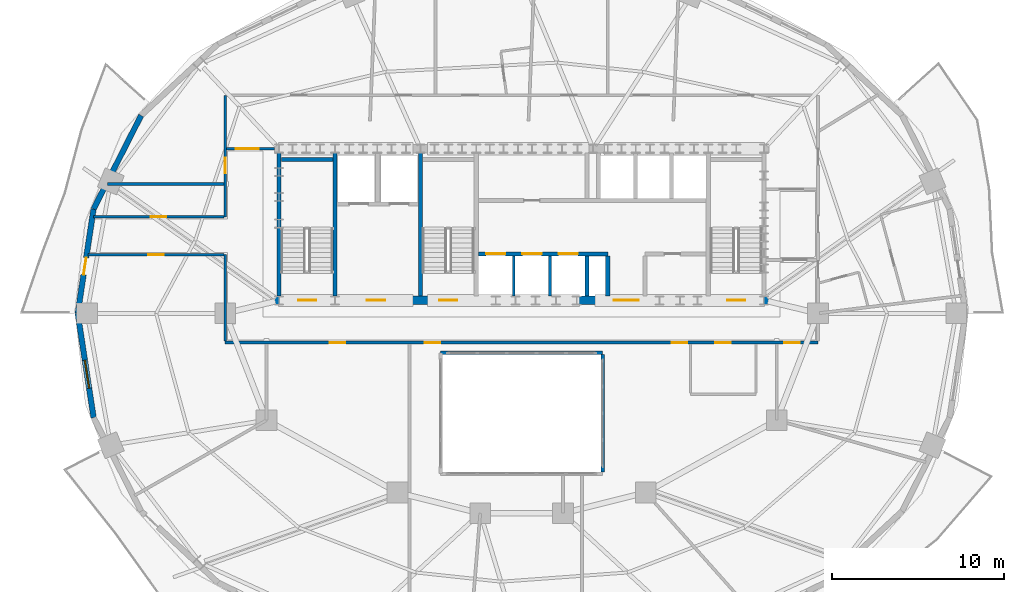
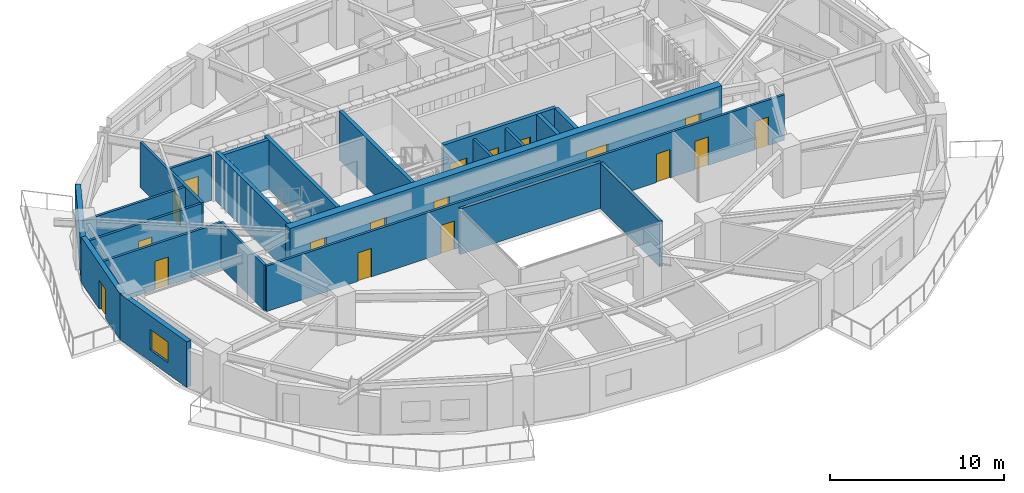
# One storey, part 6 of 13: 22 walls, 18 doors, 1 window, 19 openings.
"""IFC4 building model written with IfcOpenShell, lengths in metres."""

from ifc_helpers import new_model, si_unit, direction, frame, frame_2d, origin, place, context, subcontext, project, spatial, rectangle, extrude, material, layer, layer_set, type_object, element, fill, save


model = new_model("IFC4")

# Units and contexts
model_context = context("Model", 3, precision=1e-05, world=origin(), true_north=direction((0.0, 1.0)))
body_context = subcontext(model_context, "Body", "Model", "MODEL_VIEW")
ifc_project = project(units=[si_unit("LENGTHUNIT", "METRE"), si_unit("AREAUNIT", "SQUARE_METRE"), si_unit("VOLUMEUNIT", "CUBIC_METRE"), si_unit("PLANEANGLEUNIT", "RADIAN"), si_unit("MASSUNIT", "GRAM", prefix="KILO")], contexts=[model_context])

# Site, building, storey
site_placement = place(None, origin())
site = spatial("IfcSite", under=ifc_project, at=site_placement, CompositionType="ELEMENT")
building_placement = place(site_placement, origin())
building = spatial("IfcBuilding", under=site, at=building_placement, Name="Haldorwick Loom Tower", CompositionType="ELEMENT")
storey_placement = place(building_placement, frame((0.0, 0.0, 142.550048828125)))
storey = spatial("IfcBuildingStorey", under=building, at=storey_placement, Name="L38", CompositionType="ELEMENT", Elevation=142.550048828125)

# Wall
ifc_material_1 = material(Name="Pressed Clay Face Brick and Insulated Masonry Backup Assembly", Category="masonry")
ifc_layer_1 = layer(ifc_material_1, 0.320068359375, Name="Pressed Clay Face Brick and Insulated Masonry Backup Assembly", Category="masonry")
ifc_layer_set_1 = layer_set([ifc_layer_1], Name="Pressed Clay Face Brick and Insulated Masonry Backup Assembly")
wall_type_1 = type_object("IfcWallType", Name="ARC-WL-EXT320", PredefinedType="STANDARD", material=ifc_layer_set_1)
wall_1_placement = place(storey_placement, frame((13.92333984375, 37.481201171875, 0.0), z_axis=(0.0, 0.0, 1.0), x_axis=(-0.453172129629, -0.89142303141, 0.0)))
element("IfcWall", 1, at=wall_1_placement, inside=storey, type_object=wall_type_1, Name="L38 Brick Pier and Spandrel Wall 11", PredefinedType="STANDARD", context=body_context, shape_type="SweptSolid", body=[
    extrude(rectangle(XDim=6.086669921875, YDim=0.320068359375, at=frame_2d((3.04345703125, 0.0))), origin(), (0.0, 0.0, 1.0), 2.640869140625),
])

# Wall, opening, door
wall_2_placement = place(storey_placement, frame((11.1650390625, 32.055419921875, 0.0), z_axis=(0.0, 0.0, 1.0), x_axis=(-0.150544467684, -0.988603238539, 0.0)))
wall_2 = element("IfcWall", 2, at=wall_2_placement, inside=storey, type_object=wall_type_1, Name="L38 Brick Pier and Spandrel Wall 12", PredefinedType="STANDARD", context=body_context, shape_type="SweptSolid", body=[
    extrude(rectangle(XDim=6.125244140625, YDim=0.320068359375, at=frame_2d((3.0625, 0.0))), origin(), (0.0, 0.0, 1.0), 3.2099609375),
])
opening_1_placement = place(wall_2_placement, frame((2.863037109375, 0.0, 0.0)))
opening_1 = element("IfcOpeningElement", 3, at=opening_1_placement, cuts=wall_2, Name="Opening D-BL10", PredefinedType="OPENING", context=body_context, shape_type="SweptSolid", body=[
    extrude(rectangle(XDim=1.0, YDim=2.0400390625, at=frame_2d((0.5, 1.02001953125))), frame((0.0, 0.169921875, 0.0), z_axis=(0.0, -1.0, 0.0), x_axis=(1.0, 0.0, 0.0)), (0.0, 0.0, 1.0), 0.340087890625),
])
ifc_material_2 = material(Name="Thermally Broken Anodized Aluminium Curtain Wall Framing", Category="aluminium")
door_type_1 = type_object("IfcDoorType", Name="ARC-DR-BAL100", OperationType="NOTDEFINED", PredefinedType="DOOR", material=ifc_material_2)
door_1_placement = place(opening_1_placement, origin())
door_1 = element("IfcDoor", 4, at=door_1_placement, inside=storey, type_object=door_type_1, Name="L38 Outdoor Terrace Door SLB-L38-BAL_WNW", OperationType="SINGLE_SWING_LEFT", OverallHeight=2.0400390625, OverallWidth=1.0, PredefinedType="DOOR", context=body_context, shape_type="SweptSolid", body=[
    extrude(rectangle(XDim=1.0, YDim=2.0400390625, at=frame_2d((0.5, 1.02001953125))), frame((0.0, 0.02490234375, 0.0), z_axis=(0.0, -1.0, 0.0), x_axis=(1.0, 0.0, 0.0)), (0.0, 0.0, 1.0), 0.050048828125),
])
fill(opening_1, door_1)

# Wall, opening, window
wall_3_placement = place(storey_placement, frame((10.242919921875, 26.0, 0.0), z_axis=(0.0, 0.0, 1.0), x_axis=(0.150544467684, -0.988603238539, 0.0)))
wall_3 = element("IfcWall", 5, at=wall_3_placement, inside=storey, type_object=wall_type_1, Name="L38 Brick Pier and Spandrel Wall 13", PredefinedType="STANDARD", context=body_context, shape_type="SweptSolid", body=[
    extrude(rectangle(XDim=6.125244140625, YDim=0.320068359375, at=frame_2d((3.0625, 0.0))), origin(), (0.0, 0.0, 1.0), 3.2099609375),
])
opening_2_placement = place(wall_3_placement, frame((2.749755859375, 0.0, 0.800048828125)))
opening_2 = element("IfcOpeningElement", 6, at=opening_2_placement, cuts=wall_3, Name="Opening W-01B", PredefinedType="OPENING", context=body_context, shape_type="SweptSolid", body=[
    extrude(rectangle(XDim=1.64990234375, YDim=1.449951171875, at=frame_2d((0.824951171875, 0.72509765625))), frame((0.0, 0.169921875, 0.0), z_axis=(0.0, -1.0, 0.0), x_axis=(1.0, 0.0, 0.0)), (0.0, 0.0, 1.0), 0.340087890625),
])
ifc_material_3 = material(Name="Triple-Glazed Low-E Argon Insulated Glazing Unit", Category="glass")
window_type = type_object("IfcWindowType", Name="ARC-WIN-W165", PartitioningType="SINGLE_PANEL", PredefinedType="WINDOW", material=ifc_material_3)
window_placement = place(opening_2_placement, origin())
window = element("IfcWindow", 7, at=window_placement, inside=storey, type_object=window_type, Name="L38 Deep-Set Zone 7A Window 13", OverallHeight=1.449951171875, OverallWidth=1.64990234375, PartitioningType="SINGLE_PANEL", PredefinedType="WINDOW", context=body_context, shape_type="SweptSolid", body=[
    extrude(rectangle(XDim=1.64990234375, YDim=1.449951171875, at=frame_2d((0.824951171875, 0.72509765625))), frame((0.0, 0.030029296875, 0.0), z_axis=(0.0, -1.0, 0.0), x_axis=(1.0, 0.0, 0.0)), (0.0, 0.0, 1.0), 0.06005859375),
])
fill(opening_2, window)

# Wall, openings, doors
ifc_material_4 = material(Name="Fire-Rated Type X Gypsum Stud Assembly EI 60")
ifc_layer_2 = layer(ifc_material_4, 0.159912109375, Name="Fire-Rated Type X Gypsum Stud Assembly EI 60")
ifc_layer_set_2 = layer_set([ifc_layer_2], Name="Fire-Rated Type X Gypsum Stud Assembly EI 60")
wall_type_2 = type_object("IfcWallType", Name="ARC-WL-FIRE160", PredefinedType="PARTITIONING", material=ifc_layer_set_2)
wall_4_placement = place(storey_placement, frame((18.800048828125, 24.300048828125, 0.0), z_axis=(0.0, 0.0, 1.0), x_axis=(1.0, 0.0, 0.0)))
wall_4 = element("IfcWall", 8, at=wall_4_placement, inside=storey, type_object=wall_type_2, Name="L38 Residential Fire Partition L38-CR-SP", PredefinedType="PARTITIONING", context=body_context, shape_type="SweptSolid", body=[
    extrude(rectangle(XDim=34.39990234375, YDim=0.159912109375, at=frame_2d((17.199951171875, 0.0))), origin(), (0.0, 0.0, 1.0), 3.195068359375),
])
opening_3_placement = place(wall_4_placement, frame((25.9013671875, 0.0, 0.0)))
opening_3 = element("IfcOpeningElement", 9, at=opening_3_placement, cuts=wall_4, Name="Opening D-FD60A", PredefinedType="OPENING", context=body_context, shape_type="SweptSolid", body=[
    extrude(rectangle(XDim=0.89990234375, YDim=2.0, at=frame_2d((0.449951171875, 1.0))), frame((0.0, 0.08984375, 0.0), z_axis=(0.0, -1.0, 0.0), x_axis=(1.0, 0.0, 0.0)), (0.0, 0.0, 1.0), 0.179931640625),
])
opening_4_placement = place(wall_4_placement, frame((11.56591796875, 0.0, 0.0)))
opening_4 = element("IfcOpeningElement", 10, at=opening_4_placement, cuts=wall_4, Name="Opening D-FD60A", PredefinedType="OPENING", context=body_context, shape_type="SweptSolid", body=[
    extrude(rectangle(XDim=0.89990234375, YDim=2.0, at=frame_2d((0.449951171875, 1.0))), frame((0.0, 0.08984375, 0.0), z_axis=(0.0, -1.0, 0.0), x_axis=(1.0, 0.0, 0.0)), (0.0, 0.0, 1.0), 0.179931640625),
])
opening_5_placement = place(wall_4_placement, frame((6.05517578125, 0.0, 0.0)))
opening_5 = element("IfcOpeningElement", 11, at=opening_5_placement, cuts=wall_4, Name="Opening D-FD60A", PredefinedType="OPENING", context=body_context, shape_type="SweptSolid", body=[
    extrude(rectangle(XDim=0.89990234375, YDim=2.0, at=frame_2d((0.449951171875, 1.0))), frame((0.0, 0.08984375, 0.0), z_axis=(0.0, -1.0, 0.0), x_axis=(1.0, 0.0, 0.0)), (0.0, 0.0, 1.0), 0.179931640625),
])
opening_6_placement = place(wall_4_placement, frame((28.437255859375, 0.0, 0.0)))
opening_6 = element("IfcOpeningElement", 12, at=opening_6_placement, cuts=wall_4, Name="Opening D-FD60A", PredefinedType="OPENING", context=body_context, shape_type="SweptSolid", body=[
    extrude(rectangle(XDim=0.89990234375, YDim=2.0, at=frame_2d((0.449951171875, 1.0))), frame((0.0, 0.08984375, 0.0), z_axis=(0.0, -1.0, 0.0), x_axis=(1.0, 0.0, 0.0)), (0.0, 0.0, 1.0), 0.179931640625),
])
opening_7_placement = place(wall_4_placement, frame((32.436767578125, 0.0, 0.0)))
opening_7 = element("IfcOpeningElement", 13, at=opening_7_placement, cuts=wall_4, Name="Opening D-FD60A", PredefinedType="OPENING", context=body_context, shape_type="SweptSolid", body=[
    extrude(rectangle(XDim=0.89990234375, YDim=2.0, at=frame_2d((0.449951171875, 1.0))), frame((0.0, 0.08984375, 0.0), z_axis=(0.0, -1.0, 0.0), x_axis=(1.0, 0.0, 0.0)), (0.0, 0.0, 1.0), 0.179931640625),
])
ifc_material_5 = material(Name="Hollow Steel Fire Door Assembly", Category="steel")
door_type_2 = type_object("IfcDoorType", Name="ARC-DR-FD60-90", OperationType="NOTDEFINED", PredefinedType="DOOR", material=ifc_material_5)
door_2_placement = place(opening_3_placement, origin())
door_2 = element("IfcDoor", 14, at=door_2_placement, inside=storey, type_object=door_type_2, Name="L38 L38 Central Residential Corridor to Shared Resident Dining Hall 2 Do", OperationType="SINGLE_SWING_RIGHT", OverallHeight=2.0, OverallWidth=0.89990234375, PredefinedType="DOOR", context=body_context, shape_type="SweptSolid", body=[
    extrude(rectangle(XDim=0.89990234375, YDim=2.0, at=frame_2d((0.449951171875, 1.0))), frame((0.0, 0.02490234375, 0.0), z_axis=(0.0, -1.0, 0.0), x_axis=(1.0, 0.0, 0.0)), (0.0, 0.0, 1.0), 0.050048828125),
])
fill(opening_3, door_2)
door_3_placement = place(opening_4_placement, origin())
door_3 = element("IfcDoor", 15, at=door_3_placement, inside=storey, type_object=door_type_2, Name="L38 L38 Central Residential Corridor to Shared Resident Dining Hall 1 Do", OperationType="SINGLE_SWING_LEFT", OverallHeight=2.0, OverallWidth=0.89990234375, PredefinedType="DOOR", context=body_context, shape_type="SweptSolid", body=[
    extrude(rectangle(XDim=0.89990234375, YDim=2.0, at=frame_2d((0.449951171875, 1.0))), frame((0.0, 0.02490234375, 0.0), z_axis=(0.0, -1.0, 0.0), x_axis=(1.0, 0.0, 0.0)), (0.0, 0.0, 1.0), 0.050048828125),
])
fill(opening_4, door_3)
door_4_placement = place(opening_5_placement, origin())
door_4 = element("IfcDoor", 16, at=door_4_placement, inside=storey, type_object=door_type_2, Name="L38 L38 Central Residential Corridor to Shared Resident Dining Hall 3 Do", OperationType="SINGLE_SWING_RIGHT", OverallHeight=2.0, OverallWidth=0.89990234375, PredefinedType="DOOR", context=body_context, shape_type="SweptSolid", body=[
    extrude(rectangle(XDim=0.89990234375, YDim=2.0, at=frame_2d((0.449951171875, 1.0))), frame((0.0, 0.02490234375, 0.0), z_axis=(0.0, -1.0, 0.0), x_axis=(1.0, 0.0, 0.0)), (0.0, 0.0, 1.0), 0.050048828125),
])
fill(opening_5, door_4)
door_5_placement = place(opening_6_placement, origin())
door_5 = element("IfcDoor", 17, at=door_5_placement, inside=storey, type_object=door_type_2, Name="L38 L38 Central Residential Corridor to Common Accessible WC Door", OperationType="SINGLE_SWING_RIGHT", OverallHeight=2.0, OverallWidth=0.89990234375, PredefinedType="DOOR", context=body_context, shape_type="SweptSolid", body=[
    extrude(rectangle(XDim=0.89990234375, YDim=2.0, at=frame_2d((0.449951171875, 1.0))), frame((0.0, 0.02490234375, 0.0), z_axis=(0.0, -1.0, 0.0), x_axis=(1.0, 0.0, 0.0)), (0.0, 0.0, 1.0), 0.050048828125),
])
fill(opening_6, door_5)
door_6_placement = place(opening_7_placement, origin())
door_6 = element("IfcDoor", 18, at=door_6_placement, inside=storey, type_object=door_type_2, Name="L38 L38 Central Residential Corridor to Shared Resident Dining Hall 2 Do", OperationType="SINGLE_SWING_LEFT", OverallHeight=2.0, OverallWidth=0.89990234375, PredefinedType="DOOR", context=body_context, shape_type="SweptSolid", body=[
    extrude(rectangle(XDim=0.89990234375, YDim=2.0, at=frame_2d((0.449951171875, 1.0))), frame((0.0, 0.02490234375, 0.0), z_axis=(0.0, -1.0, 0.0), x_axis=(1.0, 0.0, 0.0)), (0.0, 0.0, 1.0), 0.050048828125),
])
fill(opening_7, door_6)

# Wall
wall_5_placement = place(storey_placement, frame((18.800048828125, 24.383056640625, 0.0), z_axis=(0.0, 0.0, 1.0), x_axis=(0.0, 1.0, 0.0)))
element("IfcWall", 19, at=wall_5_placement, inside=storey, type_object=wall_type_2, Name="L38 Residential Fire Partition L38-CR-W0A", PredefinedType="PARTITIONING", context=body_context, shape_type="SweptSolid", body=[
    extrude(rectangle(XDim=5.016845703125, YDim=0.159912109375, at=frame_2d((2.50830078125, 0.0))), origin(), (0.0, 0.0, 1.0), 3.195068359375),
])

# Wall, opening, door
wall_6_placement = place(storey_placement, frame((18.800048828125, 31.60009765625, 0.0), z_axis=(0.0, 0.0, 1.0), x_axis=(0.0, 1.0, 0.0)))
wall_6 = element("IfcWall", 20, at=wall_6_placement, inside=storey, type_object=wall_type_2, Name="L38 Residential Fire Partition L38-CR-W0B", PredefinedType="PARTITIONING", context=body_context, shape_type="SweptSolid", body=[
    extrude(rectangle(XDim=7.0498046875, YDim=0.159912109375, at=frame_2d((3.52490234375, 0.0))), origin(), (0.0, 0.0, 1.0), 3.195068359375),
])
opening_8_placement = place(wall_6_placement, frame((2.524169921875, 0.0, 0.0)))
opening_8 = element("IfcOpeningElement", 21, at=opening_8_placement, cuts=wall_6, Name="Opening D-FD60A", PredefinedType="OPENING", context=body_context, shape_type="SweptSolid", body=[
    extrude(rectangle(XDim=0.89990234375, YDim=2.0, at=frame_2d((0.449951171875, 1.0))), frame((0.0, 0.08984375, 0.0), z_axis=(0.0, -1.0, 0.0), x_axis=(1.0, 0.0, 0.0)), (0.0, 0.0, 1.0), 0.179931640625),
])
door_7_placement = place(opening_8_placement, frame((0.89990234375, 0.0, 0.0), z_axis=(0.0, 0.0, 1.0), x_axis=(-1.0, 0.0, 0.0)))
door_7 = element("IfcDoor", 22, at=door_7_placement, inside=storey, type_object=door_type_2, Name="L38 Shared Resident Dining Hall 5 to L38 Central Residential Corridor Do", OperationType="SINGLE_SWING_RIGHT", OverallHeight=2.0, OverallWidth=0.89990234375, PredefinedType="DOOR", context=body_context, shape_type="SweptSolid", body=[
    extrude(rectangle(XDim=0.89990234375, YDim=2.0, at=frame_2d((0.449951171875, 1.0))), frame((0.0, 0.02490234375, 0.0), z_axis=(0.0, -1.0, 0.0), x_axis=(1.0, 0.0, 0.0)), (0.0, 0.0, 1.0), 0.050048828125),
])
fill(opening_8, door_7)

wall_7_placement = place(storey_placement, frame((10.826416015625, 29.39990234375, 0.0), z_axis=(0.0, 0.0, 1.0), x_axis=(1.0, 0.0, 0.0)))
wall_7 = element("IfcWall", 23, at=wall_7_placement, inside=storey, type_object=wall_type_2, Name="L38 Residential Fire Partition L38-CR-GW0", PredefinedType="PARTITIONING", context=body_context, shape_type="SweptSolid", body=[
    extrude(rectangle(XDim=7.890625, YDim=0.159912109375, at=frame_2d((3.9453125, 0.0))), origin(), (0.0, 0.0, 1.0), 3.195068359375),
])
opening_9_placement = place(wall_7_placement, frame((3.4951171875, 0.0, 0.0)))
opening_9 = element("IfcOpeningElement", 24, at=opening_9_placement, cuts=wall_7, Name="Opening D-FD60A", PredefinedType="OPENING", context=body_context, shape_type="SweptSolid", body=[
    extrude(rectangle(XDim=0.89990234375, YDim=2.0, at=frame_2d((0.449951171875, 1.0))), frame((0.0, 0.08984375, 0.0), z_axis=(0.0, -1.0, 0.0), x_axis=(1.0, 0.0, 0.0)), (0.0, 0.0, 1.0), 0.179931640625),
])
door_8_placement = place(opening_9_placement, origin())
door_8 = element("IfcDoor", 25, at=door_8_placement, inside=storey, type_object=door_type_2, Name="L38 L38 Central Residential Corridor to Shared Resident Dining Hall 3 Do", OperationType="SINGLE_SWING_LEFT", OverallHeight=2.0, OverallWidth=0.89990234375, PredefinedType="DOOR", context=body_context, shape_type="SweptSolid", body=[
    extrude(rectangle(XDim=0.89990234375, YDim=2.0, at=frame_2d((0.449951171875, 1.0))), frame((0.0, 0.02490234375, 0.0), z_axis=(0.0, -1.0, 0.0), x_axis=(1.0, 0.0, 0.0)), (0.0, 0.0, 1.0), 0.050048828125),
])
fill(opening_9, door_8)

wall_8_placement = place(storey_placement, frame((11.16162109375, 31.60009765625, 0.0), z_axis=(0.0, 0.0, 1.0), x_axis=(1.0, 0.0, 0.0)))
wall_8 = element("IfcWall", 26, at=wall_8_placement, inside=storey, type_object=wall_type_2, Name="L38 Residential Fire Partition L38-CR-GW1", PredefinedType="PARTITIONING", context=body_context, shape_type="SweptSolid", body=[
    extrude(rectangle(XDim=7.555419921875, YDim=0.159912109375, at=frame_2d((3.77783203125, 0.0))), origin(), (0.0, 0.0, 1.0), 3.195068359375),
])
opening_10_placement = place(wall_8_placement, frame((3.32763671875, 0.0, 0.0)))
opening_10 = element("IfcOpeningElement", 27, at=opening_10_placement, cuts=wall_8, Name="Opening D-FD60A", PredefinedType="OPENING", context=body_context, shape_type="SweptSolid", body=[
    extrude(rectangle(XDim=0.89990234375, YDim=2.0, at=frame_2d((0.449951171875, 1.0))), frame((0.0, 0.08984375, 0.0), z_axis=(0.0, -1.0, 0.0), x_axis=(1.0, 0.0, 0.0)), (0.0, 0.0, 1.0), 0.179931640625),
])
door_9_placement = place(opening_10_placement, frame((0.89990234375, 0.0, 0.0), z_axis=(0.0, 0.0, 1.0), x_axis=(-1.0, 0.0, 0.0)))
door_9 = element("IfcDoor", 28, at=door_9_placement, inside=storey, type_object=door_type_2, Name="L38 Shared Dining Hall 1 to L38 Central Residential Corridor Door", OperationType="SINGLE_SWING_RIGHT", OverallHeight=2.0, OverallWidth=0.89990234375, PredefinedType="DOOR", context=body_context, shape_type="SweptSolid", body=[
    extrude(rectangle(XDim=0.89990234375, YDim=2.0, at=frame_2d((0.449951171875, 1.0))), frame((0.0, 0.02490234375, 0.0), z_axis=(0.0, -1.0, 0.0), x_axis=(1.0, 0.0, 0.0)), (0.0, 0.0, 1.0), 0.050048828125),
])
fill(opening_10, door_9)

wall_9_placement = place(storey_placement, frame((18.883056640625, 35.550048828125, 0.0), z_axis=(0.0, 0.0, 1.0), x_axis=(1.0, 0.0, 0.0)))
wall_9 = element("IfcWall", 29, at=wall_9_placement, inside=storey, type_object=wall_type_2, Name="L38 Residential Fire Partition L38-CR-WNC", PredefinedType="PARTITIONING", context=body_context, shape_type="SweptSolid", body=[
    extrude(rectangle(XDim=2.766845703125, YDim=0.159912109375, at=frame_2d((1.38330078125, 0.0))), origin(), (0.0, 0.0, 1.0), 3.195068359375),
])
opening_11_placement = place(wall_9_placement, frame((0.524169921875, 0.0, 0.0)))
opening_11 = element("IfcOpeningElement", 30, at=opening_11_placement, cuts=wall_9, Name="Opening D-CR15", PredefinedType="OPENING", context=body_context, shape_type="SweptSolid", body=[
    extrude(rectangle(XDim=1.35009765625, YDim=2.0, at=frame_2d((0.675048828125, 1.0))), frame((0.0, 0.08984375, 0.0), z_axis=(0.0, -1.0, 0.0), x_axis=(1.0, 0.0, 0.0)), (0.0, 0.0, 1.0), 0.179931640625),
])
ifc_material_6 = material(Name="Thermally Broken Anodized Aluminium and Tempered Glass", Category="aluminium")
door_type_3 = type_object("IfcDoorType", Name="ARC-DR-COR150", OperationType="NOTDEFINED", PredefinedType="DOOR", material=ifc_material_6)
door_10_placement = place(opening_11_placement, origin())
door_10 = element("IfcDoor", 31, at=door_10_placement, inside=storey, type_object=door_type_3, Name="L38 L38 North Residential Corridor to L38 Central Residential Corridor D", OperationType="DOUBLE_DOOR_SINGLE_SWING", OverallHeight=2.0, OverallWidth=1.35009765625, PredefinedType="DOOR", context=body_context, shape_type="SweptSolid", body=[
    extrude(rectangle(XDim=1.35009765625, YDim=2.0, at=frame_2d((0.675048828125, 1.0))), frame((0.0, 0.02490234375, 0.0), z_axis=(0.0, -1.0, 0.0), x_axis=(1.0, 0.0, 0.0)), (0.0, 0.0, 1.0), 0.050048828125),
])
fill(opening_11, door_10)

# Walls
wall_10_placement = place(storey_placement, frame((11.972412109375, 33.5, 0.0), z_axis=(0.0, 0.0, 1.0), x_axis=(1.0, 0.0, 0.0)))
element("IfcWall", 32, at=wall_10_placement, inside=storey, type_object=wall_type_2, Name="L38 Residential Fire Partition L38-FLW-15", PredefinedType="PARTITIONING", context=body_context, shape_type="SweptSolid", body=[
    extrude(rectangle(XDim=6.74462890625, YDim=0.159912109375, at=frame_2d((3.372314453125, 0.0))), origin(), (0.0, 0.0, 1.0), 3.195068359375),
])
ifc_material_7 = material(Name="Fire-Rated Type X Gypsum Stud Assembly EI 120")
ifc_layer_3 = layer(ifc_material_7, 0.199951171875, Name="Fire-Rated Type X Gypsum Stud Assembly EI 120")
ifc_layer_set_3 = layer_set([ifc_layer_3], Name="Fire-Rated Type X Gypsum Stud Assembly EI 120")
wall_type_3 = type_object("IfcWallType", Name="ARC-WL-FIRE200", PredefinedType="PARTITIONING", material=ifc_layer_set_3)
wall_11_placement = place(storey_placement, frame((31.300048828125, 23.699951171875, 0.0), z_axis=(0.0, 0.0, 1.0), x_axis=(1.0, 0.0, 0.0)))
element("IfcWall", 33, at=wall_11_placement, inside=storey, type_object=wall_type_3, Name="L38 Atrium Fire Enclosure Wall N", PredefinedType="PARTITIONING", context=body_context, shape_type="SweptSolid", body=[
    extrude(rectangle(XDim=9.39990234375, YDim=0.199951171875, at=frame_2d((4.699951171875, 0.0))), origin(), (0.0, 0.0, 1.0), 3.195068359375),
])
wall_12_placement = place(storey_placement, frame((40.699951171875, 23.596923828125, 0.0), z_axis=(0.0, 0.0, 1.0), x_axis=(0.0, -1.0, 0.0)))
element("IfcWall", 34, at=wall_12_placement, inside=storey, type_object=wall_type_3, Name="L38 Atrium Fire Enclosure Wall E", PredefinedType="PARTITIONING", context=body_context, shape_type="SweptSolid", body=[
    extrude(rectangle(XDim=6.7939453125, YDim=0.199951171875, at=frame_2d((3.39697265625, 0.0))), origin(), (0.0, 0.0, 1.0), 3.195068359375),
])
ifc_layer_4 = layer(ifc_material_7, 0.1650390625, Name="Fire-Rated Type X Gypsum Stud Assembly EI 120")
ifc_layer_set_4 = layer_set([ifc_layer_4], Name="Fire-Rated Type X Gypsum Stud Assembly EI 120")
wall_type_4 = type_object("IfcWallType", Name="ARC-WL-SHAFT160", PredefinedType="MOVABLE", material=ifc_layer_set_4)
for number, where, z_axis, x_axis, name in (
    (35, (35.550048828125, 27.0029296875, 0.0), (0.0, 0.0, 1.0), (0.0, 1.0, 0.0), "L38 Mid-Rise Hoistway Divider 1"),
    (36, (37.64990234375, 27.0029296875, 0.0), (0.0, 0.0, 1.0), (0.0, 1.0, 0.0), "L38 Mid-Rise Hoistway Divider 2"),
):
    element("IfcWall", number, at=place(storey_placement, frame(where, z_axis=z_axis, x_axis=x_axis)), inside=storey, type_object=wall_type_4, Name=name, PredefinedType="MOVABLE", context=body_context, shape_type="SweptSolid", body=[
        extrude(rectangle(XDim=2.323974609375, YDim=0.159912109375, at=frame_2d((1.162109375, 0.0))), origin(), (0.0, 0.0, 1.0), 3.195068359375),
    ])

# Wall, openings, doors
ifc_material_8 = material(Name="Concrete C60 (60 MPa)", Category="concrete")
ifc_layer_5 = layer(ifc_material_8, 0.5, Name="Concrete C60 (60 MPa)", Category="concrete")
ifc_layer_set_5 = layer_set([ifc_layer_5], Name="Concrete C60 (60 MPa)")
wall_type_5 = type_object("IfcWallType", Name="STR-WL-CORE500", PredefinedType="SHEAR", material=ifc_layer_set_5)
wall_13_placement = place(storey_placement, frame((21.64990234375, 26.75, 0.0), z_axis=(0.0, 0.0, 1.0), x_axis=(1.0, 0.0, 0.0)))
wall_13 = element("IfcWall", 37, at=wall_13_placement, inside=storey, type_object=wall_type_5, Name="L38 Core Shear Wall S", PredefinedType="SHEAR", context=body_context, shape_type="SweptSolid", body=[
    extrude(rectangle(XDim=28.7001953125, YDim=0.5, at=frame_2d((14.35009765625, 0.0))), origin(), (0.0, 0.0, 1.0), 3.449951171875),
])
opening_12_placement = place(wall_13_placement, frame((1.375, 0.0, 0.0)))
opening_12 = element("IfcOpeningElement", 38, at=opening_12_placement, cuts=wall_13, Name="Opening D-FD60", PredefinedType="OPENING", context=body_context, shape_type="SweptSolid", body=[
    extrude(rectangle(XDim=1.050048828125, YDim=2.0, at=frame_2d((0.52490234375, 1.0))), frame((0.0, 0.260009765625, 0.0), z_axis=(0.0, -1.0, 0.0), x_axis=(1.0, 0.0, 0.0)), (0.0, 0.0, 1.0), 0.52001953125),
])
opening_13_placement = place(wall_13_placement, frame((5.375, 0.0, 0.0)))
opening_13 = element("IfcOpeningElement", 39, at=opening_13_placement, cuts=wall_13, Name="Opening D-FD60", PredefinedType="OPENING", context=body_context, shape_type="SweptSolid", body=[
    extrude(rectangle(XDim=1.050048828125, YDim=2.0, at=frame_2d((0.52490234375, 1.0))), frame((0.0, 0.260009765625, 0.0), z_axis=(0.0, -1.0, 0.0), x_axis=(1.0, 0.0, 0.0)), (0.0, 0.0, 1.0), 0.52001953125),
])
opening_14_placement = place(wall_13_placement, frame((9.574951171875, 0.0, 0.0)))
opening_14 = element("IfcOpeningElement", 40, at=opening_14_placement, cuts=wall_13, Name="Opening D-FD60", PredefinedType="OPENING", context=body_context, shape_type="SweptSolid", body=[
    extrude(rectangle(XDim=1.050048828125, YDim=2.0, at=frame_2d((0.52490234375, 1.0))), frame((0.0, 0.260009765625, 0.0), z_axis=(0.0, -1.0, 0.0), x_axis=(1.0, 0.0, 0.0)), (0.0, 0.0, 1.0), 0.52001953125),
])
opening_15_placement = place(wall_13_placement, frame((19.705078125, 0.0, 0.0)))
opening_15 = element("IfcOpeningElement", 41, at=opening_15_placement, cuts=wall_13, Name="Opening D-LB15", PredefinedType="OPENING", context=body_context, shape_type="SweptSolid", body=[
    extrude(rectangle(XDim=1.449951171875, YDim=2.0, at=frame_2d((0.72509765625, 1.0))), frame((0.0, 0.260009765625, 0.0), z_axis=(0.0, -1.0, 0.0), x_axis=(1.0, 0.0, 0.0)), (0.0, 0.0, 1.0), 0.52001953125),
])
opening_16_placement = place(wall_13_placement, frame((26.27490234375, 0.0, 0.0)))
opening_16 = element("IfcOpeningElement", 42, at=opening_16_placement, cuts=wall_13, Name="Opening D-FD60", PredefinedType="OPENING", context=body_context, shape_type="SweptSolid", body=[
    extrude(rectangle(XDim=1.050048828125, YDim=2.0, at=frame_2d((0.52490234375, 1.0))), frame((0.0, 0.260009765625, 0.0), z_axis=(0.0, -1.0, 0.0), x_axis=(1.0, 0.0, 0.0)), (0.0, 0.0, 1.0), 0.52001953125),
])
door_type_4 = type_object("IfcDoorType", Name="ARC-DR-FD60", OperationType="NOTDEFINED", PredefinedType="DOOR", material=ifc_material_5)
door_11_placement = place(opening_12_placement, origin())
door_11 = element("IfcDoor", 43, at=door_11_placement, inside=storey, type_object=door_type_4, Name="L38 Exit Stair ST-01 Fire Door", OperationType="SINGLE_SWING_RIGHT", OverallHeight=2.0, OverallWidth=1.050048828125, PredefinedType="DOOR", context=body_context, shape_type="SweptSolid", body=[
    extrude(rectangle(XDim=1.050048828125, YDim=2.0, at=frame_2d((0.52490234375, 1.0))), frame((0.0, 0.02490234375, 0.0), z_axis=(0.0, -1.0, 0.0), x_axis=(1.0, 0.0, 0.0)), (0.0, 0.0, 1.0), 0.050048828125),
])
fill(opening_12, door_11)
door_12_placement = place(opening_13_placement, origin())
door_12 = element("IfcDoor", 44, at=door_12_placement, inside=storey, type_object=door_type_4, Name="L38 Firefighting Lift Lobby Fire Door", OperationType="SINGLE_SWING_LEFT", OverallHeight=2.0, OverallWidth=1.050048828125, PredefinedType="DOOR", context=body_context, shape_type="SweptSolid", body=[
    extrude(rectangle(XDim=1.050048828125, YDim=2.0, at=frame_2d((0.52490234375, 1.0))), frame((0.0, 0.02490234375, 0.0), z_axis=(0.0, -1.0, 0.0), x_axis=(1.0, 0.0, 0.0)), (0.0, 0.0, 1.0), 0.050048828125),
])
fill(opening_13, door_12)
door_13_placement = place(opening_14_placement, origin())
door_13 = element("IfcDoor", 45, at=door_13_placement, inside=storey, type_object=door_type_4, Name="L38 Exit Stair ST-03 Fire Door", OperationType="SINGLE_SWING_LEFT", OverallHeight=2.0, OverallWidth=1.050048828125, PredefinedType="DOOR", context=body_context, shape_type="SweptSolid", body=[
    extrude(rectangle(XDim=1.050048828125, YDim=2.0, at=frame_2d((0.52490234375, 1.0))), frame((0.0, 0.02490234375, 0.0), z_axis=(0.0, -1.0, 0.0), x_axis=(1.0, 0.0, 0.0)), (0.0, 0.0, 1.0), 0.050048828125),
])
fill(opening_14, door_13)
door_14_placement = place(opening_16_placement, origin())
door_14 = element("IfcDoor", 46, at=door_14_placement, inside=storey, type_object=door_type_4, Name="L38 Exit Stair ST-02 Fire Door", OperationType="SINGLE_SWING_LEFT", OverallHeight=2.0, OverallWidth=1.050048828125, PredefinedType="DOOR", context=body_context, shape_type="SweptSolid", body=[
    extrude(rectangle(XDim=1.050048828125, YDim=2.0, at=frame_2d((0.52490234375, 1.0))), frame((0.0, 0.02490234375, 0.0), z_axis=(0.0, -1.0, 0.0), x_axis=(1.0, 0.0, 0.0)), (0.0, 0.0, 1.0), 0.050048828125),
])
fill(opening_16, door_14)
door_type_5 = type_object("IfcDoorType", Name="ARC-DR-LOB150", OperationType="NOTDEFINED", PredefinedType="DOOR", material=ifc_material_6)
door_15_placement = place(opening_15_placement, frame((1.449951171875, 0.0, 0.0), z_axis=(0.0, 0.0, 1.0), x_axis=(-1.0, 0.0, 0.0)))
door_15 = element("IfcDoor", 47, at=door_15_placement, inside=storey, type_object=door_type_5, Name="L38 Passenger Lift Lobby Fire Door", OperationType="DOUBLE_DOOR_SINGLE_SWING", OverallHeight=2.0, OverallWidth=1.449951171875, PredefinedType="DOOR", context=body_context, shape_type="SweptSolid", body=[
    extrude(rectangle(XDim=1.449951171875, YDim=2.0, at=frame_2d((0.72509765625, 1.0))), frame((0.0, 0.02490234375, 0.0), z_axis=(0.0, -1.0, 0.0), x_axis=(1.0, 0.0, 0.0)), (0.0, 0.0, 1.0), 0.050048828125),
])
fill(opening_15, door_15)

# Walls
ifc_material_9 = material(Name="Concrete C50 (50 MPa)", Category="concrete")
ifc_layer_6 = layer(ifc_material_9, 0.239990234375, Name="Concrete C50 (50 MPa)", Category="concrete")
ifc_layer_set_6 = layer_set([ifc_layer_6], Name="Concrete C50 (50 MPa)")
wall_type_6 = type_object("IfcWallType", Name="STR-WL-SHAFT240", PredefinedType="SHEAR", material=ifc_layer_set_6)
for number, where, z_axis, x_axis, name in (
    (48, (21.929931640625, 35.297119140625, 0.0), (0.0, 0.0, 1.0), (0.0, -1.0, 0.0), "L38 Core Shear Wall W"),
    (49, (25.169921875, 27.0029296875, 0.0), (0.0, 0.0, 1.0), (0.0, 1.0, 0.0), "L38 Core Shear Wall 1"),
):
    element("IfcWall", number, at=place(storey_placement, frame(where, z_axis=z_axis, x_axis=x_axis)), inside=storey, type_object=wall_type_6, Name=name, PredefinedType="SHEAR", context=body_context, shape_type="SweptSolid", body=[
        extrude(rectangle(XDim=8.294189453125, YDim=0.239990234375, at=frame_2d((4.14697265625, 0.0))), origin(), (0.0, 0.0, 1.0), 3.449951171875),
    ])
wall_14_placement = place(storey_placement, frame((22.052978515625, 34.919921875, 0.0), z_axis=(0.0, 0.0, 1.0), x_axis=(1.0, 0.0, 0.0)))
element("IfcWall", 50, at=wall_14_placement, inside=storey, type_object=wall_type_6, Name="L38 Core Shear Wall 1N", PredefinedType="SHEAR", context=body_context, shape_type="SweptSolid", body=[
    extrude(rectangle(XDim=2.994140625, YDim=0.239990234375, at=frame_2d((1.4970703125, 0.0))), origin(), (0.0, 0.0, 1.0), 3.449951171875),
])
wall_15_placement = place(storey_placement, frame((30.1298828125, 27.0029296875, 0.0), z_axis=(0.0, 0.0, 1.0), x_axis=(0.0, 1.0, 0.0)))
element("IfcWall", 51, at=wall_15_placement, inside=storey, type_object=wall_type_6, Name="L38 Core Shear Wall 2", PredefinedType="SHEAR", context=body_context, shape_type="SweptSolid", body=[
    extrude(rectangle(XDim=8.294189453125, YDim=0.239990234375, at=frame_2d((4.14697265625, 0.0))), origin(), (0.0, 0.0, 1.0), 3.449951171875),
])

# Wall, openings, doors
wall_16_placement = place(storey_placement, frame((33.492919921875, 29.449951171875, 0.0), z_axis=(0.0, 0.0, 1.0), x_axis=(1.0, 0.0, 0.0)))
wall_16 = element("IfcWall", 52, at=wall_16_placement, inside=storey, type_object=wall_type_6, Name="L38 Core Shear Wall LS1", PredefinedType="SHEAR", context=body_context, shape_type="SweptSolid", body=[
    extrude(rectangle(XDim=7.507080078125, YDim=0.239990234375, at=frame_2d((3.75341796875, 0.0))), origin(), (0.0, 0.0, 1.0), 3.449951171875),
])
opening_17_placement = place(wall_16_placement, frame((0.447021484375, 0.0, 0.0)))
opening_17 = element("IfcOpeningElement", 53, at=opening_17_placement, cuts=wall_16, Name="Opening LD-M1", PredefinedType="OPENING", context=body_context, shape_type="SweptSolid", body=[
    extrude(rectangle(XDim=1.1201171875, YDim=2.0, at=frame_2d((0.56005859375, 1.0))), frame((0.0, 0.1298828125, 0.0), z_axis=(0.0, -1.0, 0.0), x_axis=(1.0, 0.0, 0.0)), (0.0, 0.0, 1.0), 0.260009765625),
])
opening_18_placement = place(wall_16_placement, frame((2.547119140625, 0.0, 0.0)))
opening_18 = element("IfcOpeningElement", 54, at=opening_18_placement, cuts=wall_16, Name="Opening LD-M2", PredefinedType="OPENING", context=body_context, shape_type="SweptSolid", body=[
    extrude(rectangle(XDim=1.1201171875, YDim=2.0, at=frame_2d((0.56005859375, 1.0))), frame((0.0, 0.1298828125, 0.0), z_axis=(0.0, -1.0, 0.0), x_axis=(1.0, 0.0, 0.0)), (0.0, 0.0, 1.0), 0.260009765625),
])
opening_19_placement = place(wall_16_placement, frame((4.64697265625, 0.0, 0.0)))
opening_19 = element("IfcOpeningElement", 55, at=opening_19_placement, cuts=wall_16, Name="Opening LD-M3", PredefinedType="OPENING", context=body_context, shape_type="SweptSolid", body=[
    extrude(rectangle(XDim=1.1201171875, YDim=2.0, at=frame_2d((0.56005859375, 1.0))), frame((0.0, 0.1298828125, 0.0), z_axis=(0.0, -1.0, 0.0), x_axis=(1.0, 0.0, 0.0)), (0.0, 0.0, 1.0), 0.260009765625),
])
door_type_6 = type_object("IfcDoorType", Name="ARC-DR-LD-PAX", OperationType="NOTDEFINED", PredefinedType="USERDEFINED", material=ifc_material_5)
door_16_placement = place(opening_17_placement, origin())
door_16 = element("IfcDoor", 56, at=door_16_placement, inside=storey, type_object=door_type_6, Name="L38 Lift LF-M1 Sliding Landing Door", ObjectType="LANDING DOOR", OperationType="DOUBLE_DOOR_SLIDING", OverallHeight=2.0, OverallWidth=1.1201171875, PredefinedType="USERDEFINED", context=body_context, shape_type="SweptSolid", body=[
    extrude(rectangle(XDim=1.1201171875, YDim=2.0, at=frame_2d((0.56005859375, 1.0))), frame((0.0, 0.02490234375, 0.0), z_axis=(0.0, -1.0, 0.0), x_axis=(1.0, 0.0, 0.0)), (0.0, 0.0, 1.0), 0.050048828125),
])
fill(opening_17, door_16)
door_17_placement = place(opening_18_placement, origin())
door_17 = element("IfcDoor", 57, at=door_17_placement, inside=storey, type_object=door_type_6, Name="L38 Lift LF-M2 Sliding Landing Door", ObjectType="LANDING DOOR", OperationType="DOUBLE_DOOR_SLIDING", OverallHeight=2.0, OverallWidth=1.1201171875, PredefinedType="USERDEFINED", context=body_context, shape_type="SweptSolid", body=[
    extrude(rectangle(XDim=1.1201171875, YDim=2.0, at=frame_2d((0.56005859375, 1.0))), frame((0.0, 0.02490234375, 0.0), z_axis=(0.0, -1.0, 0.0), x_axis=(1.0, 0.0, 0.0)), (0.0, 0.0, 1.0), 0.050048828125),
])
fill(opening_18, door_17)
door_18_placement = place(opening_19_placement, origin())
door_18 = element("IfcDoor", 58, at=door_18_placement, inside=storey, type_object=door_type_6, Name="L38 Lift LF-M3 Sliding Landing Door", ObjectType="LANDING DOOR", OperationType="DOUBLE_DOOR_SLIDING", OverallHeight=2.0, OverallWidth=1.1201171875, PredefinedType="USERDEFINED", context=body_context, shape_type="SweptSolid", body=[
    extrude(rectangle(XDim=1.1201171875, YDim=2.0, at=frame_2d((0.56005859375, 1.0))), frame((0.0, 0.02490234375, 0.0), z_axis=(0.0, -1.0, 0.0), x_axis=(1.0, 0.0, 0.0)), (0.0, 0.0, 1.0), 0.050048828125),
])
fill(opening_19, door_18)

# Walls
for number, where, z_axis, x_axis, name in (
    (59, (41.0, 27.0029296875, 0.0), (0.0, 0.0, 1.0), (0.0, 1.0, 0.0), "L38 Core Shear Wall THW"),
    (60, (39.800048828125, 27.0029296875, 0.0), (0.0, 0.0, 1.0), (0.0, 1.0, 0.0), "L38 Core Shear Wall MRW"),
):
    element("IfcWall", number, at=place(storey_placement, frame(where, z_axis=z_axis, x_axis=x_axis)), inside=storey, type_object=wall_type_6, Name=name, PredefinedType="SHEAR", context=body_context, shape_type="SweptSolid", body=[
        extrude(rectangle(XDim=2.323974609375, YDim=0.239990234375, at=frame_2d((1.162109375, 0.0))), origin(), (0.0, 0.0, 1.0), 3.449951171875),
    ])

save(model, "model.ifc")
